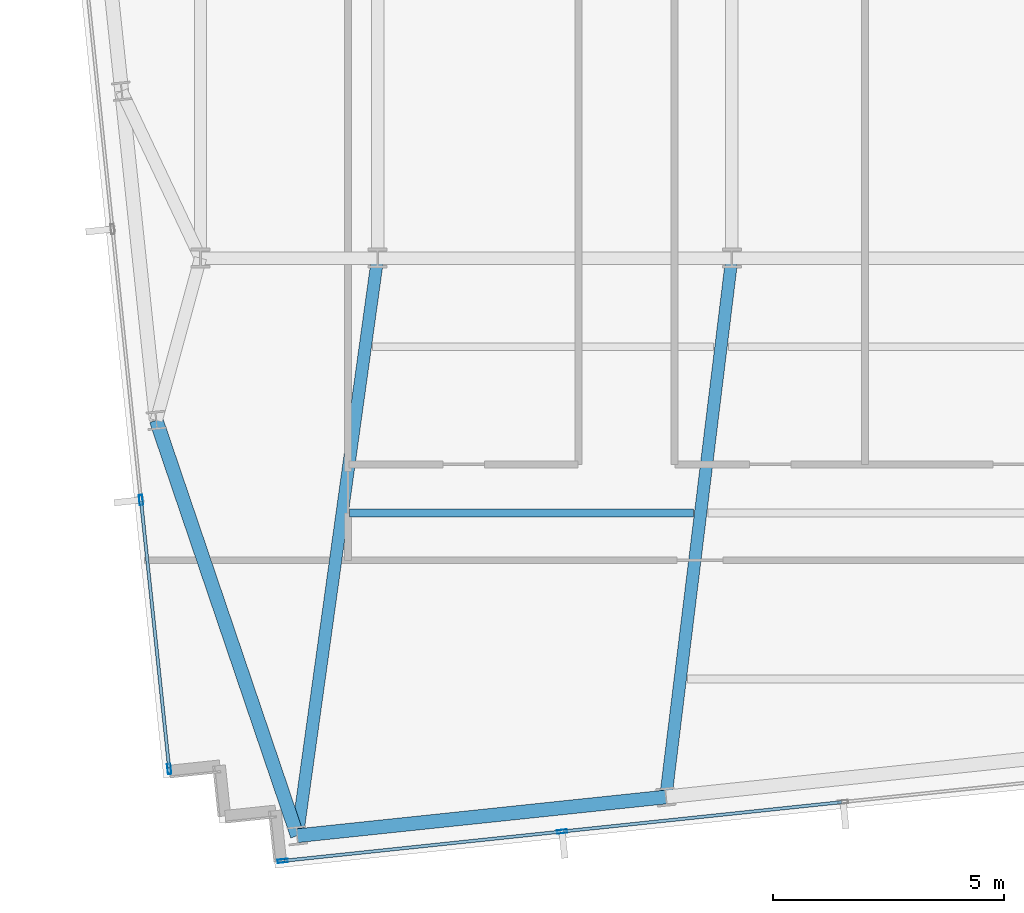
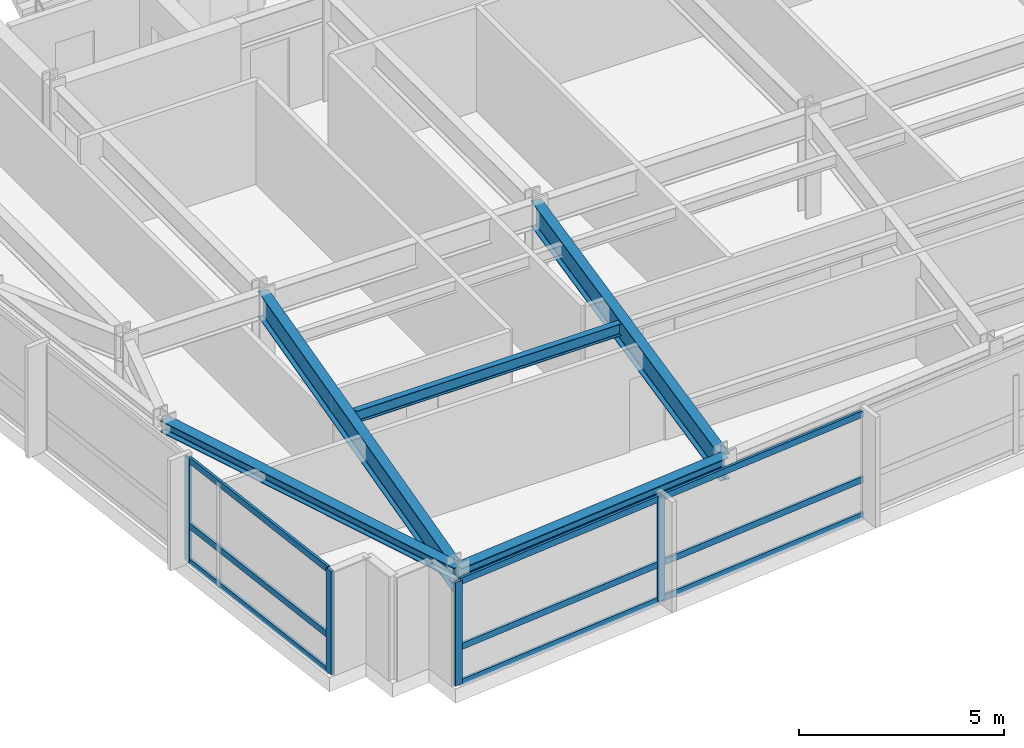
# One storey, part 2 of 26: 13 members, 5 beams, 2 elements without a shape of their own.
"""IFC4 building model written with IfcOpenShell, lengths in metres."""

from ifc_helpers import new_model, si_unit, direction, frame, origin, origin_2d, place, context, subcontext, project, spatial, hollow_rectangle, i_section, extrude, material, material_profile, profile_set, type_object, element, aggregate, save


model = new_model("IFC4")

# Units and contexts
model_context = context("Model", 3, precision=1e-05, world=origin(), true_north=direction((0.0, 1.0)))
body_context = subcontext(model_context, "Body", "Model", "MODEL_VIEW")
ifc_project = project(units=[si_unit("LENGTHUNIT", "METRE"), si_unit("AREAUNIT", "SQUARE_METRE"), si_unit("VOLUMEUNIT", "CUBIC_METRE"), si_unit("PLANEANGLEUNIT", "RADIAN"), si_unit("MASSUNIT", "GRAM", prefix="KILO")], contexts=[model_context])

# Site, building, storey
site_placement = place(None, origin())
site = spatial("IfcSite", under=ifc_project, at=site_placement, CompositionType="ELEMENT")
building_placement = place(site_placement, origin())
building = spatial("IfcBuilding", under=site, at=building_placement, Name="Yelkora Congress Tower", CompositionType="ELEMENT")
storey_placement = place(building_placement, frame((0.0, 0.0, 204.5)))
storey = spatial("IfcBuildingStorey", under=building, at=storey_placement, Name="L56", CompositionType="ELEMENT", Elevation=204.5)

# Beams
ifc_material_1 = material(Name="Steel S355J2", Category="steel")
ifc_material_profile_1 = material_profile(ifc_material_1, i_section(OverallWidth=0.26708984375, OverallDepth=0.761962890625, WebThickness=0.014404296875, FlangeThickness=0.021484375, FilletRadius=0.01708984375, at=origin_2d()), Name="IPE 750x173")
ifc_profile_set_1 = profile_set([ifc_material_profile_1], Name="Steel S355J2")
beam_type_1 = type_object("IfcBeamType", Name="BM-GIRD-IPE750", PredefinedType="BEAM", material=ifc_profile_set_1)
beam_1_placement = place(storey_placement, frame((21.299072265625, 12.678466796875, 2.698974609375), z_axis=(0.137713626184, 0.990472088028, 0.0), x_axis=(-0.990472088028, 0.137713626184, 0.0)))
element("IfcBeam", 1, at=beam_1_placement, inside=storey, type_object=beam_type_1, Name="L56 Primary Frame Girder S01", PredefinedType="BEAM", context=body_context, shape_type="SweptSolid", body=[
    extrude(i_section(OverallWidth=0.26708984375, OverallDepth=0.761962890625, WebThickness=0.014404296875, FlangeThickness=0.021484375, FilletRadius=0.01708984375, at=origin_2d()), origin(), (0.0, 0.0, 1.0), 12.641845703125),
])
beam_2_placement = place(storey_placement, frame((29.288330078125, 13.518310546875, 2.698974609375), z_axis=(0.121644630436, 0.992573717104, 0.0), x_axis=(-0.992573717104, 0.121644630436, 0.0)))
element("IfcBeam", 2, at=beam_2_placement, inside=storey, type_object=beam_type_1, Name="L56 Primary Frame Girder S02", PredefinedType="BEAM", context=body_context, shape_type="SweptSolid", body=[
    extrude(i_section(OverallWidth=0.26708984375, OverallDepth=0.761962890625, WebThickness=0.014404296875, FlangeThickness=0.021484375, FilletRadius=0.01708984375, at=origin_2d()), origin(), (0.0, 0.0, 1.0), 11.76904296875),
])
ifc_material_profile_2 = material_profile(ifc_material_1, i_section(OverallWidth=0.169921875, OverallDepth=0.360107421875, WebThickness=0.008056640625, FlangeThickness=0.0126953125, FilletRadius=0.01806640625, at=origin_2d()), Name="IPE 360")
ifc_profile_set_2 = profile_set([ifc_material_profile_2], Name="Steel S355J2")
beam_type_2 = type_object("IfcBeamType", Name="BM-JOIST-IPE360", PredefinedType="JOIST", material=ifc_profile_set_2)
beam_3_placement = place(storey_placement, frame((22.432373046875, 19.678466796875, 2.89990234375), z_axis=(1.0, 0.0, 0.0), x_axis=(0.0, 1.0, 0.0)))
element("IfcBeam", 3, at=beam_3_placement, inside=storey, type_object=beam_type_2, Name="L56 Composite Floor Joist 3", PredefinedType="JOIST", context=body_context, shape_type="SweptSolid", body=[
    extrude(i_section(OverallWidth=0.169921875, OverallDepth=0.360107421875, WebThickness=0.008056640625, FlangeThickness=0.0126953125, FilletRadius=0.01806640625, at=origin_2d()), origin(), (0.0, 0.0, 1.0), 7.450927734375),
])
ifc_material_profile_3 = material_profile(ifc_material_1, i_section(OverallWidth=0.300048828125, OverallDepth=0.340087890625, WebThickness=0.011962890625, FlangeThickness=0.021484375, FilletRadius=0.027099609375, at=origin_2d()), Name="HEB 340")
ifc_profile_set_3 = profile_set([ifc_material_profile_3], Name="Steel S355J2")
beam_type_3 = type_object("IfcBeamType", Name="BM-SPAN-HEB340", PredefinedType="SPANDREL", material=ifc_profile_set_3)
beam_4_placement = place(storey_placement, frame((18.2412109375, 21.68310546875, 2.909912109375), z_axis=(0.321552459514, -0.94689176561, 0.0), x_axis=(0.94689176561, 0.321552459514, 0.0)))
element("IfcBeam", 4, at=beam_4_placement, inside=storey, type_object=beam_type_3, Name="L56 Perimeter Beam 2", PredefinedType="SPANDREL", context=body_context, shape_type="SweptSolid", body=[
    extrude(i_section(OverallWidth=0.300048828125, OverallDepth=0.340087890625, WebThickness=0.011962890625, FlangeThickness=0.021484375, FilletRadius=0.027099609375, at=origin_2d()), origin(), (0.0, 0.0, 1.0), 9.509765625),
])
beam_5_placement = place(storey_placement, frame((21.299072265625, 12.678466796875, 2.909912109375), z_axis=(0.994520097542, 0.104545567032, 0.0), x_axis=(-0.104545567032, 0.994520097542, 0.0)))
element("IfcBeam", 5, at=beam_5_placement, inside=storey, type_object=beam_type_3, Name="L56 Perimeter Beam 3", PredefinedType="SPANDREL", context=body_context, shape_type="SweptSolid", body=[
    extrude(i_section(OverallWidth=0.300048828125, OverallDepth=0.340087890625, WebThickness=0.011962890625, FlangeThickness=0.021484375, FilletRadius=0.027099609375, at=origin_2d()), origin(), (0.0, 0.0, 1.0), 8.033203125),
])

# Curtain wall, members
ifc_material_2 = material(Name="Anodised aluminium and insulated glass", Category="aluminium")
curtain_wall_type = type_object("IfcCurtainWallType", Name="CW-SYS-SKY", PredefinedType="NOTDEFINED", material=ifc_material_2)
curtain_wall_1_placement = place(storey_placement, origin())
curtain_wall_1 = element("IfcCurtainWall", 6, at=curtain_wall_1_placement, inside=storey, type_object=curtain_wall_type, Name="L56 Unitised Curtain Wall 5", PredefinedType="NOTDEFINED")
ifc_material_3 = material(Name="Anodised aluminium 6063-T6", Category="aluminium")
ifc_material_profile_4 = material_profile(ifc_material_3, hollow_rectangle(XDim=0.074951171875, YDim=0.219970703125, WallThickness=0.0048828125, at=origin_2d()), Name="ALU 75x220x5")
ifc_profile_set_4 = profile_set([ifc_material_profile_4], Name="Anodised aluminium 6063-T6")
member_type_1 = type_object("IfcMemberType", Name="MEM-ML-SKY", PredefinedType="MULLION", material=ifc_profile_set_4)
member_1_placement = place(storey_placement, frame((18.522705078125, 14.123779296875, 0.0), z_axis=(0.0, 0.0, 1.0), x_axis=(-0.994522145958, -0.104526079034, 0.0)))
member_1 = element("IfcMember", 7, at=member_1_placement, type_object=member_type_1, Name="CW-SKY mullion 1", PredefinedType="MULLION", context=body_context, shape_type="SweptSolid", body=[
    extrude(hollow_rectangle(XDim=0.074951171875, YDim=0.219970703125, WallThickness=0.0048828125, at=origin_2d()), origin(), (0.0, 0.0, 1.0), 3.080078125),
])
member_2_placement = place(storey_placement, frame((17.90966796875, 19.958251953125, 0.0), z_axis=(0.0, 0.0, 1.0), x_axis=(-0.994522145958, -0.104526079034, 0.0)))
member_2 = element("IfcMember", 8, at=member_2_placement, type_object=member_type_1, Name="CW-SKY mullion 2", PredefinedType="MULLION", context=body_context, shape_type="SweptSolid", body=[
    extrude(hollow_rectangle(XDim=0.074951171875, YDim=0.219970703125, WallThickness=0.0048828125, at=origin_2d()), origin(), (0.0, 0.0, 1.0), 3.080078125),
])

curtain_wall_2_placement = place(storey_placement, origin())
curtain_wall_2 = element("IfcCurtainWall", 9, at=curtain_wall_2_placement, inside=storey, type_object=curtain_wall_type, Name="L56 Unitised Curtain Wall 20", PredefinedType="NOTDEFINED")
member_3_placement = place(storey_placement, frame((27.03857421875, 12.76904296875, 0.0), z_axis=(0.0, 0.0, 1.0), x_axis=(0.104526664994, -0.994522084373, 0.0)))
member_3 = element("IfcMember", 10, at=member_3_placement, type_object=member_type_1, Name="CW-SKY mullion 8", PredefinedType="MULLION", context=body_context, shape_type="SweptSolid", body=[
    extrude(hollow_rectangle(XDim=0.074951171875, YDim=0.219970703125, WallThickness=0.0048828125, at=origin_2d()), origin(), (0.0, 0.0, 1.0), 3.080078125),
])
member_4_placement = place(storey_placement, frame((20.98193359375, 12.13232421875, 0.0), z_axis=(0.0, 0.0, 1.0), x_axis=(0.104526664994, -0.994522084373, 0.0)))
member_4 = element("IfcMember", 11, at=member_4_placement, type_object=member_type_1, Name="CW-SKY mullion 9", PredefinedType="MULLION", context=body_context, shape_type="SweptSolid", body=[
    extrude(hollow_rectangle(XDim=0.074951171875, YDim=0.219970703125, WallThickness=0.0048828125, at=origin_2d()), origin(), (0.0, 0.0, 1.0), 3.080078125),
])

# Member
ifc_material_profile_5 = material_profile(ifc_material_3, hollow_rectangle(XDim=0.070068359375, YDim=0.18994140625, WallThickness=0.00390625, at=origin_2d()), Name="ALU 70x190x4")
ifc_profile_set_5 = profile_set([ifc_material_profile_5], Name="Anodised aluminium 6063-T6")
member_type_2 = type_object("IfcMemberType", Name="MEM-TR-SKY", PredefinedType="USERDEFINED", material=ifc_profile_set_5)
member_5_placement = place(storey_placement, frame((18.518798828125, 14.1611328125, 0.034912109375), z_axis=(-0.104502649359, 0.994524608181, 0.0), x_axis=(-0.994524608181, -0.104502649359, 0.0)))
member_5 = element("IfcMember", 12, at=member_5_placement, type_object=member_type_2, Name="CW-SKY transom 1.1", ObjectType="TRANSOM", PredefinedType="USERDEFINED", context=body_context, shape_type="SweptSolid", body=[
    extrude(hollow_rectangle(XDim=0.070068359375, YDim=0.18994140625, WallThickness=0.00390625, at=origin_2d()), origin(), (0.0, 0.0, 1.0), 5.79150390625),
])

member_6_placement = place(storey_placement, frame((18.518798828125, 14.1611328125, 1.10009765625), z_axis=(-0.104502649359, 0.994524608181, 0.0), x_axis=(-0.994524608181, -0.104502649359, 0.0)))
member_6 = element("IfcMember", 13, at=member_6_placement, type_object=member_type_2, Name="CW-SKY transom 1.2", ObjectType="TRANSOM", PredefinedType="USERDEFINED", context=body_context, shape_type="SweptSolid", body=[
    extrude(hollow_rectangle(XDim=0.070068359375, YDim=0.18994140625, WallThickness=0.00390625, at=origin_2d()), origin(), (0.0, 0.0, 1.0), 5.79150390625),
])

member_7_placement = place(storey_placement, frame((18.518798828125, 14.1611328125, 3.044921875), z_axis=(-0.104502649359, 0.994524608181, 0.0), x_axis=(-0.994524608181, -0.104502649359, 0.0)))
member_7 = element("IfcMember", 14, at=member_7_placement, type_object=member_type_2, Name="CW-SKY transom 1.3", ObjectType="TRANSOM", PredefinedType="USERDEFINED", context=body_context, shape_type="SweptSolid", body=[
    extrude(hollow_rectangle(XDim=0.070068359375, YDim=0.18994140625, WallThickness=0.00390625, at=origin_2d()), origin(), (0.0, 0.0, 1.0), 5.79150390625),
])

aggregate(curtain_wall_1, [member_1, member_2, member_5, member_6, member_7])

member_8_placement = place(storey_placement, frame((33.09521484375, 13.405517578125, 0.034912109375), z_axis=(-0.994523341638, -0.104514702015, 0.0), x_axis=(0.104514702015, -0.994523341638, 0.0)))
member_8 = element("IfcMember", 15, at=member_8_placement, type_object=member_type_2, Name="CW-SKY transom 7.1", ObjectType="TRANSOM", PredefinedType="USERDEFINED", context=body_context, shape_type="SweptSolid", body=[
    extrude(hollow_rectangle(XDim=0.070068359375, YDim=0.18994140625, WallThickness=0.00390625, at=origin_2d()), origin(), (0.0, 0.0, 1.0), 6.052490234375),
])

member_9_placement = place(storey_placement, frame((33.09521484375, 13.405517578125, 1.10009765625), z_axis=(-0.994523341638, -0.104514702015, 0.0), x_axis=(0.104514702015, -0.994523341638, 0.0)))
member_9 = element("IfcMember", 16, at=member_9_placement, type_object=member_type_2, Name="CW-SKY transom 7.2", ObjectType="TRANSOM", PredefinedType="USERDEFINED", context=body_context, shape_type="SweptSolid", body=[
    extrude(hollow_rectangle(XDim=0.070068359375, YDim=0.18994140625, WallThickness=0.00390625, at=origin_2d()), origin(), (0.0, 0.0, 1.0), 6.052490234375),
])

member_10_placement = place(storey_placement, frame((33.09521484375, 13.405517578125, 3.044921875), z_axis=(-0.994523341638, -0.104514702015, 0.0), x_axis=(0.104514702015, -0.994523341638, 0.0)))
member_10 = element("IfcMember", 17, at=member_10_placement, type_object=member_type_2, Name="CW-SKY transom 7.3", ObjectType="TRANSOM", PredefinedType="USERDEFINED", context=body_context, shape_type="SweptSolid", body=[
    extrude(hollow_rectangle(XDim=0.070068359375, YDim=0.18994140625, WallThickness=0.00390625, at=origin_2d()), origin(), (0.0, 0.0, 1.0), 6.052490234375),
])

member_11_placement = place(storey_placement, frame((27.001220703125, 12.76513671875, 0.034912109375), z_axis=(-0.994518789266, -0.104558011638, 0.0), x_axis=(0.104558011638, -0.994518789266, 0.0)))
member_11 = element("IfcMember", 18, at=member_11_placement, type_object=member_type_2, Name="CW-SKY transom 8.1", ObjectType="TRANSOM", PredefinedType="USERDEFINED", context=body_context, shape_type="SweptSolid", body=[
    extrude(hollow_rectangle(XDim=0.070068359375, YDim=0.18994140625, WallThickness=0.00390625, at=origin_2d()), origin(), (0.0, 0.0, 1.0), 6.014892578125),
])

member_12_placement = place(storey_placement, frame((27.001220703125, 12.76513671875, 1.10009765625), z_axis=(-0.994518789266, -0.104558011638, 0.0), x_axis=(0.104558011638, -0.994518789266, 0.0)))
member_12 = element("IfcMember", 19, at=member_12_placement, type_object=member_type_2, Name="CW-SKY transom 8.2", ObjectType="TRANSOM", PredefinedType="USERDEFINED", context=body_context, shape_type="SweptSolid", body=[
    extrude(hollow_rectangle(XDim=0.070068359375, YDim=0.18994140625, WallThickness=0.00390625, at=origin_2d()), origin(), (0.0, 0.0, 1.0), 6.014892578125),
])

member_13_placement = place(storey_placement, frame((27.001220703125, 12.76513671875, 3.044921875), z_axis=(-0.994518789266, -0.104558011638, 0.0), x_axis=(0.104558011638, -0.994518789266, 0.0)))
member_13 = element("IfcMember", 20, at=member_13_placement, type_object=member_type_2, Name="CW-SKY transom 8.3", ObjectType="TRANSOM", PredefinedType="USERDEFINED", context=body_context, shape_type="SweptSolid", body=[
    extrude(hollow_rectangle(XDim=0.070068359375, YDim=0.18994140625, WallThickness=0.00390625, at=origin_2d()), origin(), (0.0, 0.0, 1.0), 6.014892578125),
])

aggregate(curtain_wall_2, [member_3, member_4, member_8, member_9, member_10, member_11, member_12, member_13])

save(model, "model.ifc")
